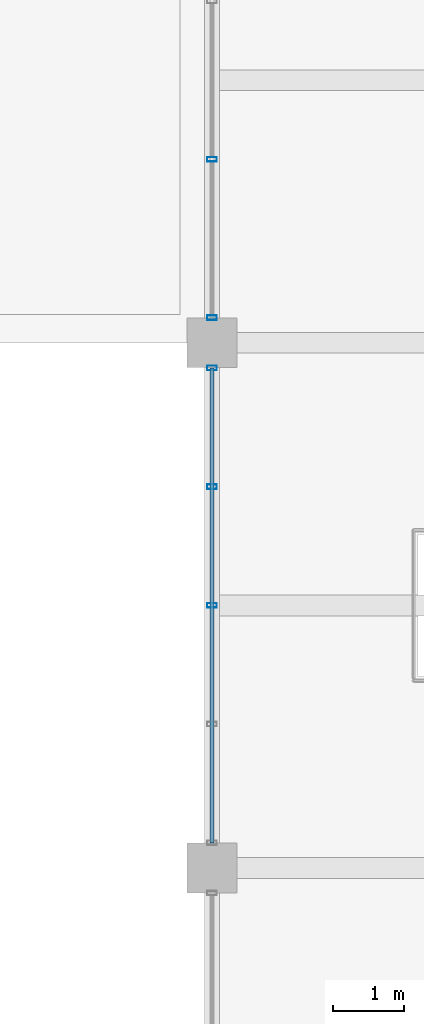
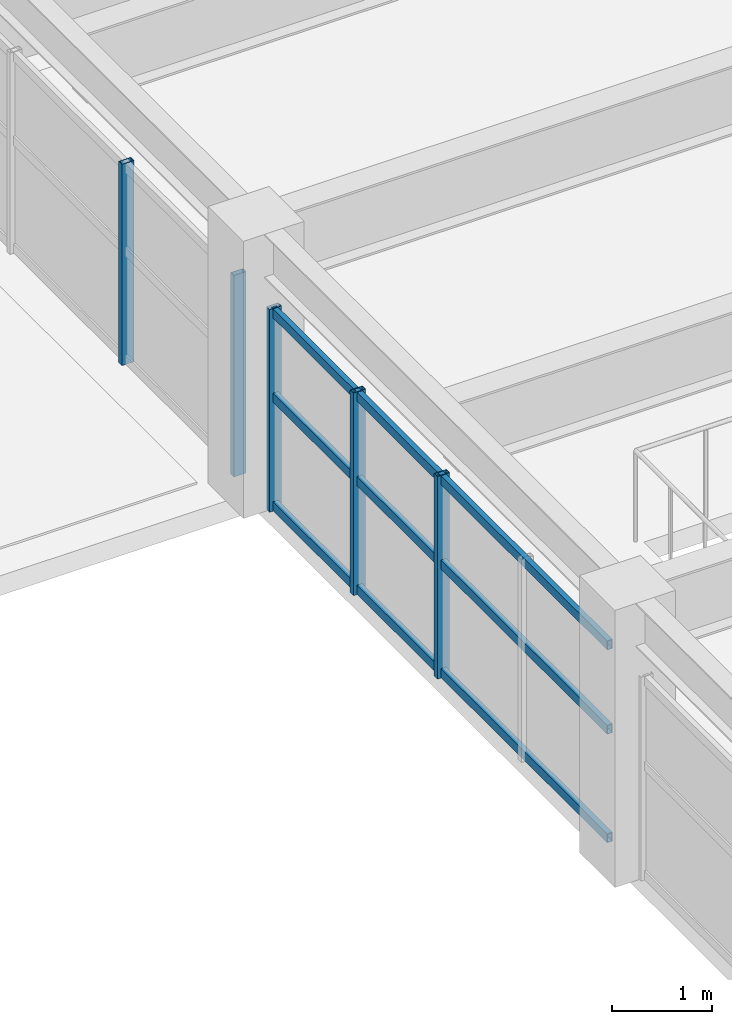
# One storey, part 27 of 121: 8 members, 2 elements without a shape of their own.
"""IFC4 building model written with IfcOpenShell, lengths in metres."""

from ifc_helpers import new_model, si_unit, direction, frame, origin, origin_2d, place, context, subcontext, project, spatial, hollow_rectangle, extrude, material, material_profile, profile_set, type_object, element, aggregate, save


model = new_model("IFC4")

# Units and contexts
model_context = context("Model", 3, precision=1e-05, world=origin(), true_north=direction((0.0, 1.0)))
body_context = subcontext(model_context, "Body", "Model", "MODEL_VIEW")
ifc_project = project(units=[si_unit("LENGTHUNIT", "METRE"), si_unit("AREAUNIT", "SQUARE_METRE"), si_unit("VOLUMEUNIT", "CUBIC_METRE"), si_unit("PLANEANGLEUNIT", "RADIAN"), si_unit("MASSUNIT", "GRAM", prefix="KILO")], contexts=[model_context])

# Site, building, storey
site_placement = place(None, origin())
site = spatial("IfcSite", under=ifc_project, at=site_placement, CompositionType="ELEMENT")
building_placement = place(site_placement, origin())
building = spatial("IfcBuilding", under=site, at=building_placement, Name="Cimatlan Art Gallery", CompositionType="ELEMENT")
storey_placement = place(building_placement, frame((0.0, 0.0, 10.199951171875)))
storey = spatial("IfcBuildingStorey", under=building, at=storey_placement, Name="L02", CompositionType="ELEMENT", Elevation=10.199951171875)

# Curtain wall, members
ifc_material_1 = material(Name="Anodised bronze unitised curtain wall")
curtain_wall_type_1 = type_object("IfcCurtainWallType", Name="CW-V-06692X02464-B4", PredefinedType="NOTDEFINED", material=ifc_material_1)
curtain_wall_1_placement = place(storey_placement, origin())
curtain_wall_1 = element("IfcCurtainWall", 1, at=curtain_wall_1_placement, inside=storey, type_object=curtain_wall_type_1, Name="CW-L02-09-06-W", PredefinedType="NOTDEFINED")
ifc_material_2 = material(Name="Anodised bronze aluminium 6063-T6", Category="aluminium")
ifc_material_profile_1 = material_profile(ifc_material_2, hollow_rectangle(XDim=0.06494140625, YDim=0.139892578125, WallThickness=0.00390625, at=origin_2d()), Name="ALU65X140X4")
ifc_profile_set_1 = profile_set([ifc_material_profile_1], Name="Anodised bronze aluminium 6063-T6")
member_type_1 = type_object("IfcMemberType", Name="CW-MUL-140", PredefinedType="MULLION", material=ifc_profile_set_1)
member_1_placement = place(storey_placement, frame((74.89990234375, 49.800048828125, 0.0), z_axis=(0.0, 0.0, 1.0), x_axis=(0.0, 1.0, 0.0)))
member_1 = element("IfcMember", 2, at=member_1_placement, type_object=member_type_1, Name="CW-L02-09-06-W-M3", PredefinedType="MULLION", context=body_context, shape_type="SweptSolid", body=[
    extrude(hollow_rectangle(XDim=0.06494140625, YDim=0.139892578125, WallThickness=0.00390625, at=origin_2d()), origin(), (0.0, 0.0, 1.0), 2.464111328125),
])
member_2_placement = place(storey_placement, frame((74.89990234375, 51.472900390625, 0.0), z_axis=(0.0, 0.0, 1.0), x_axis=(0.0, 1.0, 0.0)))
member_2 = element("IfcMember", 3, at=member_2_placement, type_object=member_type_1, Name="CW-L02-09-06-W-M4", PredefinedType="MULLION", context=body_context, shape_type="SweptSolid", body=[
    extrude(hollow_rectangle(XDim=0.06494140625, YDim=0.139892578125, WallThickness=0.00390625, at=origin_2d()), origin(), (0.0, 0.0, 1.0), 2.464111328125),
])
member_3_placement = place(storey_placement, frame((74.89990234375, 53.14599609375, 0.0), z_axis=(0.0, 0.0, 1.0), x_axis=(0.0, 1.0, 0.0)))
member_3 = element("IfcMember", 4, at=member_3_placement, type_object=member_type_1, Name="CW-L02-09-06-W-M5", PredefinedType="MULLION", context=body_context, shape_type="SweptSolid", body=[
    extrude(hollow_rectangle(XDim=0.06494140625, YDim=0.139892578125, WallThickness=0.00390625, at=origin_2d()), origin(), (0.0, 0.0, 1.0), 2.464111328125),
])

curtain_wall_type_2 = type_object("IfcCurtainWallType", Name="CW-V-06692X02449-B3", PredefinedType="NOTDEFINED", material=ifc_material_1)
curtain_wall_2_placement = place(storey_placement, origin())
curtain_wall_2 = element("IfcCurtainWall", 5, at=curtain_wall_2_placement, inside=storey, type_object=curtain_wall_type_2, Name="CW-L02-09-07-W", PredefinedType="NOTDEFINED")
member_4_placement = place(storey_placement, frame((74.89990234375, 53.85400390625, 0.0), z_axis=(0.0, 0.0, 1.0), x_axis=(0.0, 1.0, 0.0)))
member_4 = element("IfcMember", 6, at=member_4_placement, type_object=member_type_1, Name="CW-L02-09-07-W-M1", PredefinedType="MULLION", context=body_context, shape_type="SweptSolid", body=[
    extrude(hollow_rectangle(XDim=0.06494140625, YDim=0.139892578125, WallThickness=0.00390625, at=origin_2d()), origin(), (0.0, 0.0, 1.0), 2.448974609375),
])
member_5_placement = place(storey_placement, frame((74.89990234375, 56.084716796875, 0.0), z_axis=(0.0, 0.0, 1.0), x_axis=(0.0, 1.0, 0.0)))
member_5 = element("IfcMember", 7, at=member_5_placement, type_object=member_type_1, Name="CW-L02-09-07-W-M2", PredefinedType="MULLION", context=body_context, shape_type="SweptSolid", body=[
    extrude(hollow_rectangle(XDim=0.06494140625, YDim=0.139892578125, WallThickness=0.00390625, at=origin_2d()), origin(), (0.0, 0.0, 1.0), 2.448974609375),
])
aggregate(curtain_wall_2, [member_4, member_5])

# Member
ifc_material_profile_2 = material_profile(ifc_material_2, hollow_rectangle(XDim=0.06005859375, YDim=0.110107421875, WallThickness=0.00341796875, at=origin_2d()), Name="ALU60X110X3")
ifc_profile_set_2 = profile_set([ifc_material_profile_2], Name="Anodised bronze aluminium 6063-T6")
member_type_2 = type_object("IfcMemberType", Name="CW-TRN-110", PredefinedType="USERDEFINED", material=ifc_profile_set_2)
member_6_placement = place(storey_placement, frame((74.89990234375, 46.4541015625, 0.06005859375), z_axis=(0.0, 1.0, 0.0), x_axis=(-1.0, 0.0, 0.0)))
member_6 = element("IfcMember", 8, at=member_6_placement, type_object=member_type_2, Name="CW-L02-09-06-W-T1", ObjectType="TRANSOM", PredefinedType="USERDEFINED", context=body_context, shape_type="SweptSolid", body=[
    extrude(hollow_rectangle(XDim=0.06005859375, YDim=0.110107421875, WallThickness=0.00341796875, at=origin_2d()), origin(), (0.0, 0.0, 1.0), 6.69189453125),
])

member_7_placement = place(storey_placement, frame((74.89990234375, 46.4541015625, 1.3798828125), z_axis=(0.0, 1.0, 0.0), x_axis=(-1.0, 0.0, 0.0)))
member_7 = element("IfcMember", 9, at=member_7_placement, type_object=member_type_2, Name="CW-L02-09-06-W-T2", ObjectType="TRANSOM", PredefinedType="USERDEFINED", context=body_context, shape_type="SweptSolid", body=[
    extrude(hollow_rectangle(XDim=0.06005859375, YDim=0.110107421875, WallThickness=0.00341796875, at=origin_2d()), origin(), (0.0, 0.0, 1.0), 6.69189453125),
])

member_8_placement = place(storey_placement, frame((74.89990234375, 46.4541015625, 2.404052734375), z_axis=(0.0, 1.0, 0.0), x_axis=(-1.0, 0.0, 0.0)))
member_8 = element("IfcMember", 10, at=member_8_placement, type_object=member_type_2, Name="CW-L02-09-06-W-T3", ObjectType="TRANSOM", PredefinedType="USERDEFINED", context=body_context, shape_type="SweptSolid", body=[
    extrude(hollow_rectangle(XDim=0.06005859375, YDim=0.110107421875, WallThickness=0.00341796875, at=origin_2d()), origin(), (0.0, 0.0, 1.0), 6.69189453125),
])

aggregate(curtain_wall_1, [member_1, member_2, member_3, member_6, member_7, member_8])

save(model, "model.ifc")
